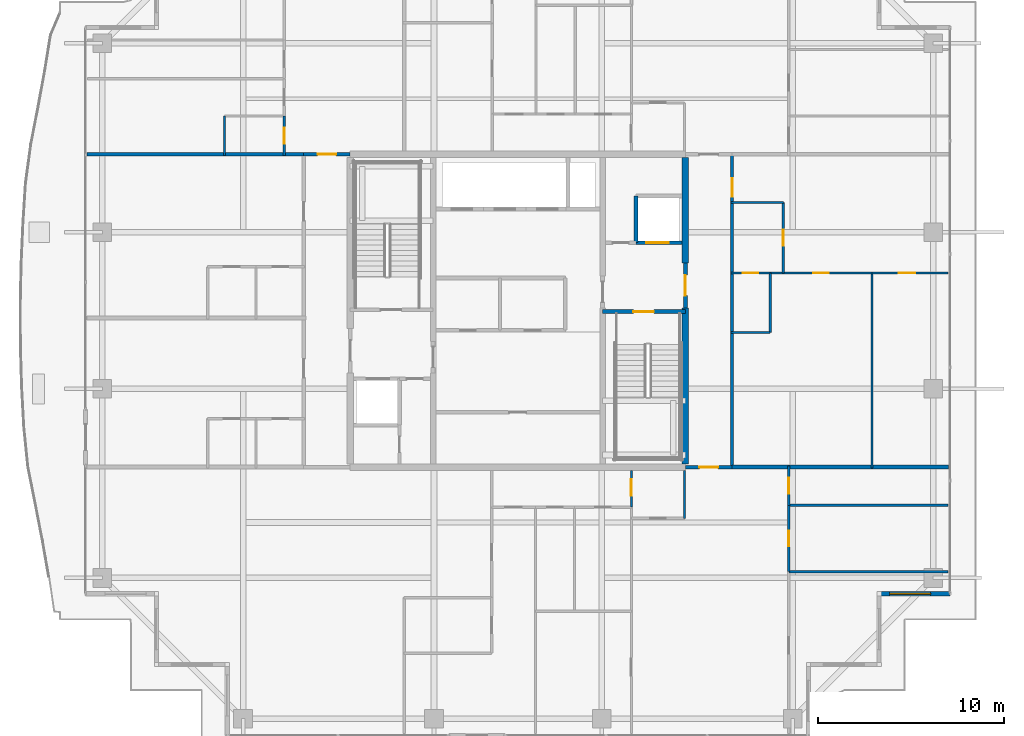
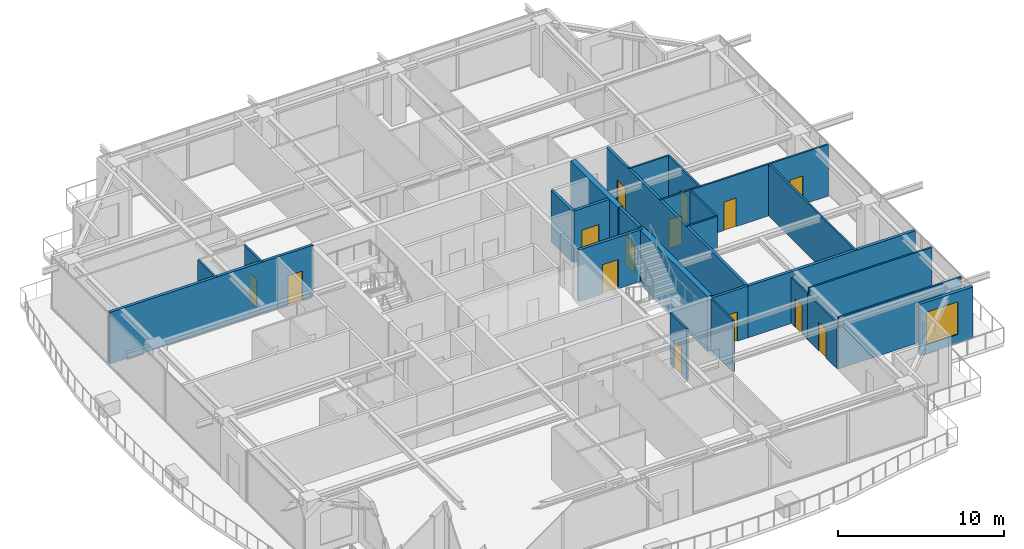
# One storey, part 28 of 37: 28 walls, 14 doors, 1 window, 15 openings.
"""IFC4 building model written with IfcOpenShell, lengths in metres."""

from ifc_helpers import new_model, si_unit, direction, frame, frame_2d, origin, place, context, subcontext, project, spatial, rectangle, extrude, source, transform, mapped, material, layer, layer_set, type_object, element, fill, save


model = new_model("IFC4")

# Units and contexts
model_context = context("Model", 3, precision=1e-05, world=origin(), true_north=direction((0.0, 1.0)))
body_context = subcontext(model_context, "Body", "Model", "MODEL_VIEW")
ifc_project = project(units=[si_unit("LENGTHUNIT", "METRE"), si_unit("AREAUNIT", "SQUARE_METRE"), si_unit("VOLUMEUNIT", "CUBIC_METRE"), si_unit("PLANEANGLEUNIT", "RADIAN"), si_unit("MASSUNIT", "GRAM", prefix="KILO")], contexts=[model_context])

# Site, building, storey
site_placement = place(None, origin())
site = spatial("IfcSite", under=ifc_project, at=site_placement, CompositionType="ELEMENT")
building_placement = place(site_placement, origin())
building = spatial("IfcBuilding", under=site, at=building_placement, Name="Serunith Strait Residences", CompositionType="ELEMENT")
storey_placement = place(building_placement, frame((0.0, 0.0, 305.60009765625)))
storey = spatial("IfcBuildingStorey", under=building, at=storey_placement, Name="L76", CompositionType="ELEMENT", Elevation=305.60009765625)

# Wall, opening, window
ifc_material_1 = material(Name="Pale-Champagne Aluminium Insulated Panel", Category="aluminium")
ifc_layer_1 = layer(ifc_material_1, 0.219970703125, Name="Pale-Champagne Aluminium Insulated Panel")
ifc_layer_set_1 = layer_set([ifc_layer_1], Name="Pale-Champagne Aluminium Insulated Panel")
wall_type_1 = type_object("IfcWallType", Name="EW-ALUM-220", PredefinedType="ELEMENTEDWALL", material=ifc_layer_set_1)
wall_1_placement = place(storey_placement, frame((51.909912109375, 10.0, 0.0), z_axis=(0.0, 0.0, 1.0), x_axis=(1.0, 0.0, 0.0)))
wall_1 = element("IfcWall", 1, at=wall_1_placement, inside=storey, type_object=wall_type_1, Name="L76 Girih Serrated Corner Wall 05", PredefinedType="ELEMENTEDWALL", context=body_context, shape_type="SweptSolid", body=[
    extrude(rectangle(XDim=3.690185546875, YDim=0.219970703125, at=frame_2d((1.84521484375, 0.0))), origin(), (0.0, 0.0, 1.0), 3.77490234375),
])
opening_1_placement = place(wall_1_placement, frame((0.447021484375, 0.0, 0.64990234375)))
opening_1 = element("IfcOpeningElement", 2, at=opening_1_placement, cuts=wall_1, Name="Opening W-06", PredefinedType="OPENING", context=body_context, shape_type="SweptSolid", body=[
    extrude(rectangle(XDim=2.199951171875, YDim=2.39990234375, at=frame_2d((1.10009765625, 1.199951171875))), frame((0.0, 0.1201171875, 0.0), z_axis=(0.0, -1.0, 0.0), x_axis=(1.0, 0.0, 0.0)), (0.0, 0.0, 1.0), 0.239990234375),
])
ifc_material_2 = material(Name="Crown Penthouse Low-E Operable Window Glass", Category="glass")
window_type = type_object("IfcWindowType", Name="WIN-C6", PartitioningType="TRIPLE_PANEL_VERTICAL", PredefinedType="WINDOW", material=ifc_material_2)
shared_shape_1 = source(origin(), body_context, "Body", "SweptSolid", [
    extrude(rectangle(XDim=2.199951171875, YDim=2.39990234375, at=frame_2d((1.10009765625, 1.199951171875))), frame((0.0, 0.030029296875, 0.0), z_axis=(0.0, -1.0, 0.0), x_axis=(1.0, 0.0, 0.0)), (0.0, 0.0, 1.0), 0.06005859375),
])
window_placement = place(opening_1_placement, origin())
window = element("IfcWindow", 3, at=window_placement, inside=storey, type_object=window_type, Name="L76 Corner Operable Fritted Window 05", OverallHeight=2.39990234375, OverallWidth=2.199951171875, PartitioningType="SINGLE_PANEL", PredefinedType="WINDOW", context=body_context, shape_type="MappedRepresentation", body=[
    mapped(shared_shape_1, transform((0.0, 0.0, 0.0), scale=1.0)),
])
fill(opening_1, window)

# Wall, opening, door
ifc_material_3 = material(Name="Fire-rated acoustic gypsum partition")
ifc_layer_2 = layer(ifc_material_3, 0.179931640625, Name="Fire-rated acoustic gypsum partition")
ifc_layer_set_2 = layer_set([ifc_layer_2], Name="Fire-rated acoustic gypsum partition")
wall_type_2 = type_object("IfcWallType", Name="IW-CORR-180", PredefinedType="PARTITIONING", material=ifc_layer_set_2)
wall_2_placement = place(storey_placement, frame((20.902099609375, 33.60009765625, 0.0), z_axis=(0.0, 0.0, 1.0), x_axis=(1.0, 0.0, 0.0)))
wall_2 = element("IfcWall", 4, at=wall_2_placement, inside=storey, type_object=wall_type_2, Name="L76 Partition Wall 025", PredefinedType="PARTITIONING", context=body_context, shape_type="SweptSolid", body=[
    extrude(rectangle(XDim=2.495849609375, YDim=0.179931640625, at=frame_2d((1.248046875, 0.0))), origin(), (0.0, 0.0, 1.0), 3.789794921875),
])
opening_2_placement = place(wall_2_placement, frame((0.748046875, 0.0, 0.0)))
opening_2 = element("IfcOpeningElement", 5, at=opening_2_placement, cuts=wall_2, Name="Opening D-APT1000", PredefinedType="OPENING", context=body_context, shape_type="SweptSolid", body=[
    extrude(rectangle(XDim=1.0, YDim=2.14990234375, at=frame_2d((0.5, 1.074951171875))), frame((0.0, 0.10009765625, 0.0), z_axis=(0.0, -1.0, 0.0), x_axis=(1.0, 0.0, 0.0)), (0.0, 0.0, 1.0), 0.199951171875),
])
ifc_material_4 = material(Name="Solid timber engineered fire door", Category="wood")
door_type_1 = type_object("IfcDoorType", Name="ID-APT-1000", OperationType="NOTDEFINED", PredefinedType="DOOR", material=ifc_material_4)
shared_shape_2 = source(origin(), body_context, "Body", "SweptSolid", [
    extrude(rectangle(XDim=1.0, YDim=2.14990234375, at=frame_2d((0.5, 1.074951171875))), frame((0.0, 0.02490234375, 0.0), z_axis=(0.0, -1.0, 0.0), x_axis=(1.0, 0.0, 0.0)), (0.0, 0.0, 1.0), 0.050048828125),
])
door_1_placement = place(opening_2_placement, origin())
door_1 = element("IfcDoor", 6, at=door_1_placement, inside=storey, type_object=door_type_1, Name="L76 Unit 02 Entrance Door", OperationType="SINGLE_SWING_RIGHT", OverallHeight=2.14990234375, OverallWidth=1.0, PredefinedType="DOOR", context=body_context, shape_type="MappedRepresentation", body=[
    mapped(shared_shape_2, transform((0.0, 0.0, 0.0), scale=1.0)),
])
fill(opening_2, door_1)

wall_3_placement = place(storey_placement, frame((41.402099609375, 16.800048828125, 0.0), z_axis=(0.0, 0.0, 1.0), x_axis=(1.0, 0.0, 0.0)))
wall_3 = element("IfcWall", 7, at=wall_3_placement, inside=storey, type_object=wall_type_2, Name="L76 Partition Wall 027", PredefinedType="PARTITIONING", context=body_context, shape_type="SweptSolid", body=[
    extrude(rectangle(XDim=2.495849609375, YDim=0.179931640625, at=frame_2d((1.248046875, 0.0))), origin(), (0.0, 0.0, 1.0), 3.789794921875),
])
opening_3_placement = place(wall_3_placement, frame((0.748046875, 0.0, 0.0)))
opening_3 = element("IfcOpeningElement", 8, at=opening_3_placement, cuts=wall_3, Name="Opening D-APT1000", PredefinedType="OPENING", context=body_context, shape_type="SweptSolid", body=[
    extrude(rectangle(XDim=1.0, YDim=2.14990234375, at=frame_2d((0.5, 1.074951171875))), frame((0.0, 0.10009765625, 0.0), z_axis=(0.0, -1.0, 0.0), x_axis=(1.0, 0.0, 0.0)), (0.0, 0.0, 1.0), 0.199951171875),
])
door_2_placement = place(opening_3_placement, origin())
door_2 = element("IfcDoor", 9, at=door_2_placement, inside=storey, type_object=door_type_1, Name="L76 Unit 01 Entrance Door", OperationType="SINGLE_SWING_LEFT", OverallHeight=2.14990234375, OverallWidth=1.0, PredefinedType="DOOR", context=body_context, shape_type="MappedRepresentation", body=[
    mapped(shared_shape_2, transform((0.0, 0.0, 0.0), scale=1.0)),
])
fill(opening_3, door_2)

wall_4_placement = place(storey_placement, frame((43.89990234375, 16.800048828125, 0.0), z_axis=(0.0, 0.0, 1.0), x_axis=(0.0, 1.0, 0.0)))
wall_4 = element("IfcWall", 10, at=wall_4_placement, inside=storey, type_object=wall_type_2, Name="L76 Partition Wall 029", PredefinedType="PARTITIONING", context=body_context, shape_type="SweptSolid", body=[
    extrude(rectangle(XDim=16.800048828125, YDim=0.179931640625, at=frame_2d((8.39990234375, 0.0))), origin(), (0.0, 0.0, 1.0), 3.789794921875),
])
opening_4_placement = place(wall_4_placement, frame((14.5, 0.0, 0.0)))
opening_4 = element("IfcOpeningElement", 11, at=opening_4_placement, cuts=wall_4, Name="Opening D-APT1000", PredefinedType="OPENING", context=body_context, shape_type="SweptSolid", body=[
    extrude(rectangle(XDim=1.0, YDim=2.14990234375, at=frame_2d((0.5, 1.074951171875))), frame((0.0, 0.10009765625, 0.0), z_axis=(0.0, -1.0, 0.0), x_axis=(1.0, 0.0, 0.0)), (0.0, 0.0, 1.0), 0.199951171875),
])
door_3_placement = place(opening_4_placement, origin())
door_3 = element("IfcDoor", 12, at=door_3_placement, inside=storey, type_object=door_type_1, Name="L76 Unit 06 Entrance Door", OperationType="SINGLE_SWING_LEFT", OverallHeight=2.14990234375, OverallWidth=1.0, PredefinedType="DOOR", context=body_context, shape_type="MappedRepresentation", body=[
    mapped(shared_shape_2, transform((0.0, 0.0, 0.0), scale=1.0)),
])
fill(opening_4, door_3)

# Wall
ifc_material_5 = material(Name="Lightweight steel-stud gypsum partition", Category="steel")
ifc_layer_3 = layer(ifc_material_5, 0.1201171875, Name="Lightweight steel-stud gypsum partition")
ifc_layer_set_3 = layer_set([ifc_layer_3], Name="Lightweight steel-stud gypsum partition")
wall_type_3 = type_object("IfcWallType", Name="IW-PART-120", PredefinedType="PARTITIONING", material=ifc_layer_set_3)
wall_5_placement = place(storey_placement, frame((41.35009765625, 14.050048828125, 0.0), z_axis=(0.0, 0.0, 1.0), x_axis=(0.0, 1.0, 0.0)))
element("IfcWall", 13, at=wall_5_placement, inside=storey, type_object=wall_type_3, Name="L76 Partition Wall 031", PredefinedType="PARTITIONING", context=body_context, shape_type="SweptSolid", body=[
    extrude(rectangle(XDim=2.574951171875, YDim=0.1201171875, at=frame_2d((1.28759765625, 0.0))), origin(), (0.0, 0.0, 1.0), 3.789794921875),
])

# Wall, opening, door
wall_6_placement = place(storey_placement, frame((38.5, 14.64990234375, 0.0), z_axis=(0.0, 0.0, 1.0), x_axis=(0.0, 1.0, 0.0)))
wall_6 = element("IfcWall", 14, at=wall_6_placement, inside=storey, type_object=wall_type_3, Name="L76 Partition Wall 032", PredefinedType="PARTITIONING", context=body_context, shape_type="SweptSolid", body=[
    extrude(rectangle(XDim=1.97509765625, YDim=0.1201171875, at=frame_2d((0.987548828125, 0.0))), origin(), (0.0, 0.0, 1.0), 3.789794921875),
])
opening_5_placement = place(wall_6_placement, frame((0.60107421875, 0.0, 0.0)))
opening_5 = element("IfcOpeningElement", 15, at=opening_5_placement, cuts=wall_6, Name="Opening D-RM900", PredefinedType="OPENING", context=body_context, shape_type="SweptSolid", body=[
    extrude(rectangle(XDim=0.89990234375, YDim=2.10009765625, at=frame_2d((0.449951171875, 1.050048828125))), frame((0.0, 0.070068359375, 0.0), z_axis=(0.0, -1.0, 0.0), x_axis=(1.0, 0.0, 0.0)), (0.0, 0.0, 1.0), 0.14013671875),
])
ifc_material_6 = material(Name="Engineered timber flush bedroom door", Category="wood")
door_type_2 = type_object("IfcDoorType", Name="ID-ROOM-900", OperationType="NOTDEFINED", PredefinedType="DOOR", material=ifc_material_6)
shared_shape_3 = source(origin(), body_context, "Body", "SweptSolid", [
    extrude(rectangle(XDim=0.89990234375, YDim=2.10009765625, at=frame_2d((0.449951171875, 1.050048828125))), frame((0.0, 0.02490234375, 0.0), z_axis=(0.0, -1.0, 0.0), x_axis=(1.0, 0.0, 0.0)), (0.0, 0.0, 1.0), 0.050048828125),
])
door_4_placement = place(opening_5_placement, origin())
door_4 = element("IfcDoor", 16, at=door_4_placement, inside=storey, type_object=door_type_2, Name="L76 Hall W 7601 Door", OperationType="SINGLE_SWING_LEFT", OverallHeight=2.10009765625, OverallWidth=0.89990234375, PredefinedType="DOOR", context=body_context, shape_type="MappedRepresentation", body=[
    mapped(shared_shape_3, transform((0.0, 0.0, 0.0), scale=1.0)),
])
fill(opening_5, door_4)

# Walls
for number, where, z_axis, x_axis, name in (
    (17, (46.949951171875, 11.18310546875, 0.0), (0.0, 0.0, 1.0), (1.0, 0.0, 0.0), "L76 Partition Wall 048"),
    (18, (46.949951171875, 14.75, 0.0), (0.0, 0.0, 1.0), (1.0, 0.0, 0.0), "L76 Partition Wall 049"),
):
    element("IfcWall", number, at=place(storey_placement, frame(where, z_axis=z_axis, x_axis=x_axis)), inside=storey, type_object=wall_type_3, Name=name, PredefinedType="PARTITIONING", context=body_context, shape_type="SweptSolid", body=[
        extrude(rectangle(XDim=8.554931640625, YDim=0.1201171875, at=frame_2d((4.27734375, 0.0))), origin(), (0.0, 0.0, 1.0), 3.789794921875),
    ])

# Wall, opening, door
wall_7_placement = place(storey_placement, frame((46.949951171875, 11.18505859375, 0.0), z_axis=(0.0, 0.0, 1.0), x_axis=(0.0, 1.0, 0.0)))
wall_7 = element("IfcWall", 19, at=wall_7_placement, inside=storey, type_object=wall_type_3, Name="L76 Partition Wall 050", PredefinedType="PARTITIONING", context=body_context, shape_type="SweptSolid", body=[
    extrude(rectangle(XDim=3.56494140625, YDim=0.1201171875, at=frame_2d((1.782470703125, 0.0))), origin(), (0.0, 0.0, 1.0), 3.371826171875),
])
opening_6_placement = place(wall_7_placement, frame((1.35693359375, 0.0, 0.0)))
opening_6 = element("IfcOpeningElement", 20, at=opening_6_placement, cuts=wall_7, Name="Opening D-RM850", PredefinedType="OPENING", context=body_context, shape_type="SweptSolid", body=[
    extrude(rectangle(XDim=0.85009765625, YDim=2.10009765625, at=frame_2d((0.425048828125, 1.050048828125))), frame((0.0, 0.070068359375, 0.0), z_axis=(0.0, -1.0, 0.0), x_axis=(1.0, 0.0, 0.0)), (0.0, 0.0, 1.0), 0.14013671875),
])
ifc_material_7 = material(Name="Engineered timber flush study and kitchen door", Category="wood")
door_type_3 = type_object("IfcDoorType", Name="ID-ROOM-850", OperationType="NOTDEFINED", PredefinedType="DOOR", material=ifc_material_7)
shared_shape_4 = source(origin(), body_context, "Body", "SweptSolid", [
    extrude(rectangle(XDim=0.85009765625, YDim=2.10009765625, at=frame_2d((0.425048828125, 1.050048828125))), frame((0.0, 0.02490234375, 0.0), z_axis=(0.0, -1.0, 0.0), x_axis=(1.0, 0.0, 0.0)), (0.0, 0.0, 1.0), 0.050048828125),
])
door_5_placement = place(opening_6_placement, origin())
door_5 = element("IfcDoor", 21, at=door_5_placement, inside=storey, type_object=door_type_3, Name="L76 Walk-in Wardrobe 7601 Door", OperationType="SINGLE_SWING_LEFT", OverallHeight=2.10009765625, OverallWidth=0.85009765625, PredefinedType="DOOR", context=body_context, shape_type="MappedRepresentation", body=[
    mapped(shared_shape_4, transform((0.0, 0.0, 0.0), scale=1.0)),
])
fill(opening_6, door_5)

wall_8_placement = place(storey_placement, frame((46.949951171875, 14.751953125, 0.0), z_axis=(0.0, 0.0, 1.0), x_axis=(0.0, 1.0, 0.0)))
wall_8 = element("IfcWall", 22, at=wall_8_placement, inside=storey, type_object=wall_type_3, Name="L76 Partition Wall 051", PredefinedType="PARTITIONING", context=body_context, shape_type="SweptSolid", body=[
    extrude(rectangle(XDim=2.108154296875, YDim=0.1201171875, at=frame_2d((1.05419921875, 0.0))), origin(), (0.0, 0.0, 1.0), 3.371826171875),
])
opening_7_placement = place(wall_8_placement, frame((0.62890625, 0.0, 0.0)))
opening_7 = element("IfcOpeningElement", 23, at=opening_7_placement, cuts=wall_8, Name="Opening D-BTH850", PredefinedType="OPENING", context=body_context, shape_type="SweptSolid", body=[
    extrude(rectangle(XDim=0.85009765625, YDim=2.10009765625, at=frame_2d((0.425048828125, 1.050048828125))), frame((0.0, 0.070068359375, 0.0), z_axis=(0.0, -1.0, 0.0), x_axis=(1.0, 0.0, 0.0)), (0.0, 0.0, 1.0), 0.14013671875),
])
ifc_material_8 = material(Name="Moisture-resistant timber bathroom door", Category="wood")
door_type_4 = type_object("IfcDoorType", Name="ID-BATH-850", OperationType="NOTDEFINED", PredefinedType="DOOR", material=ifc_material_8)
door_6_placement = place(opening_7_placement, origin())
door_6 = element("IfcDoor", 24, at=door_6_placement, inside=storey, type_object=door_type_4, Name="L76 Bathroom 7601 Door", OperationType="SINGLE_SWING_RIGHT", OverallHeight=2.10009765625, OverallWidth=0.85009765625, PredefinedType="DOOR", context=body_context, shape_type="MappedRepresentation", body=[
    mapped(shared_shape_4, transform((0.0, 0.0, 0.0), scale=1.0)),
])
fill(opening_7, door_6)

# Wall
wall_9_placement = place(storey_placement, frame((16.659912109375, 35.64990234375, 0.0), z_axis=(0.0, 0.0, 1.0), x_axis=(0.0, -1.0, 0.0)))
element("IfcWall", 25, at=wall_9_placement, inside=storey, type_object=wall_type_3, Name="L76 Partition Wall 056", PredefinedType="PARTITIONING", context=body_context, shape_type="SweptSolid", body=[
    extrude(rectangle(XDim=2.10986328125, YDim=0.1201171875, at=frame_2d((1.054931640625, 0.0))), origin(), (0.0, 0.0, 1.0), 3.789794921875),
])

# Wall, opening, door
wall_10_placement = place(storey_placement, frame((19.860107421875, 35.64794921875, 0.0), z_axis=(0.0, 0.0, 1.0), x_axis=(0.0, -1.0, 0.0)))
wall_10 = element("IfcWall", 26, at=wall_10_placement, inside=storey, type_object=wall_type_3, Name="L76 Partition Wall 059", PredefinedType="PARTITIONING", context=body_context, shape_type="SweptSolid", body=[
    extrude(rectangle(XDim=2.10791015625, YDim=0.1201171875, at=frame_2d((1.053955078125, 0.0))), origin(), (0.0, 0.0, 1.0), 3.789794921875),
])
opening_8_placement = place(wall_10_placement, frame((0.62890625, 0.0, 0.0)))
opening_8 = element("IfcOpeningElement", 27, at=opening_8_placement, cuts=wall_10, Name="Opening D-BTH850", PredefinedType="OPENING", context=body_context, shape_type="SweptSolid", body=[
    extrude(rectangle(XDim=0.85009765625, YDim=2.10009765625, at=frame_2d((0.425048828125, 1.050048828125))), frame((0.0, 0.070068359375, 0.0), z_axis=(0.0, -1.0, 0.0), x_axis=(1.0, 0.0, 0.0)), (0.0, 0.0, 1.0), 0.14013671875),
])
door_7_placement = place(opening_8_placement, origin())
door_7 = element("IfcDoor", 28, at=door_7_placement, inside=storey, type_object=door_type_4, Name="L76 Bathroom 7602 Door", OperationType="SINGLE_SWING_RIGHT", OverallHeight=2.10009765625, OverallWidth=0.85009765625, PredefinedType="DOOR", context=body_context, shape_type="MappedRepresentation", body=[
    mapped(shared_shape_4, transform((0.0, 0.0, 0.0), scale=1.0)),
])
fill(opening_8, door_7)

wall_11_placement = place(storey_placement, frame((46.64990234375, 27.219970703125, 0.0), z_axis=(0.0, 0.0, 1.0), x_axis=(0.0, 1.0, 0.0)))
wall_11 = element("IfcWall", 29, at=wall_11_placement, inside=storey, type_object=wall_type_3, Name="L76 Partition Wall 089", PredefinedType="PARTITIONING", context=body_context, shape_type="SweptSolid", body=[
    extrude(rectangle(XDim=3.780029296875, YDim=0.1201171875, at=frame_2d((1.89013671875, 0.0))), origin(), (0.0, 0.0, 1.0), 3.789794921875),
])
opening_9_placement = place(wall_11_placement, frame((1.465087890625, 0.0, 0.0)))
opening_9 = element("IfcOpeningElement", 30, at=opening_9_placement, cuts=wall_11, Name="Opening D-RM850", PredefinedType="OPENING", context=body_context, shape_type="SweptSolid", body=[
    extrude(rectangle(XDim=0.85009765625, YDim=2.10009765625, at=frame_2d((0.425048828125, 1.050048828125))), frame((0.0, 0.070068359375, 0.0), z_axis=(0.0, -1.0, 0.0), x_axis=(1.0, 0.0, 0.0)), (0.0, 0.0, 1.0), 0.14013671875),
])
door_8_placement = place(opening_9_placement, origin())
door_8 = element("IfcDoor", 31, at=door_8_placement, inside=storey, type_object=door_type_3, Name="L76 Kitchen 7606 Door", OperationType="SINGLE_SWING_RIGHT", OverallHeight=2.10009765625, OverallWidth=0.85009765625, PredefinedType="DOOR", context=body_context, shape_type="MappedRepresentation", body=[
    mapped(shared_shape_4, transform((0.0, 0.0, 0.0), scale=1.0)),
])
fill(opening_9, door_8)

# Wall
wall_12_placement = place(storey_placement, frame((46.64990234375, 31.0, 0.0), z_axis=(0.0, 0.0, 1.0), x_axis=(-1.0, 0.0, 0.0)))
element("IfcWall", 32, at=wall_12_placement, inside=storey, type_object=wall_type_3, Name="L76 Partition Wall 090", PredefinedType="PARTITIONING", context=body_context, shape_type="SweptSolid", body=[
    extrude(rectangle(XDim=2.809814453125, YDim=0.1201171875, at=frame_2d((1.40478515625, 0.0))), origin(), (0.0, 0.0, 1.0), 3.789794921875),
])

# Wall, opening, door
wall_13_placement = place(storey_placement, frame((55.5048828125, 27.219970703125, 0.0), z_axis=(0.0, 0.0, 1.0), x_axis=(-1.0, 0.0, 0.0)))
wall_13 = element("IfcWall", 33, at=wall_13_placement, inside=storey, type_object=wall_type_3, Name="L76 Partition Wall 091", PredefinedType="PARTITIONING", context=body_context, shape_type="SweptSolid", body=[
    extrude(rectangle(XDim=4.093994140625, YDim=0.1201171875, at=frame_2d((2.046875, 0.0))), origin(), (0.0, 0.0, 1.0), 3.789794921875),
])
opening_10_placement = place(wall_13_placement, frame((1.757080078125, 0.0, 0.0)))
opening_10 = element("IfcOpeningElement", 34, at=opening_10_placement, cuts=wall_13, Name="Opening D-RM900", PredefinedType="OPENING", context=body_context, shape_type="SweptSolid", body=[
    extrude(rectangle(XDim=0.89990234375, YDim=2.10009765625, at=frame_2d((0.449951171875, 1.050048828125))), frame((0.0, 0.070068359375, 0.0), z_axis=(0.0, -1.0, 0.0), x_axis=(1.0, 0.0, 0.0)), (0.0, 0.0, 1.0), 0.14013671875),
])
door_9_placement = place(opening_10_placement, origin())
door_9 = element("IfcDoor", 35, at=door_9_placement, inside=storey, type_object=door_type_2, Name="L76 Master Bedroom 1 7606 Door", OperationType="SINGLE_SWING_LEFT", OverallHeight=2.10009765625, OverallWidth=0.89990234375, PredefinedType="DOOR", context=body_context, shape_type="MappedRepresentation", body=[
    mapped(shared_shape_3, transform((0.0, 0.0, 0.0), scale=1.0)),
])
fill(opening_10, door_9)

# Walls
wall_14_placement = place(storey_placement, frame((51.410888671875, 16.739990234375, 0.0), z_axis=(0.0, 0.0, 1.0), x_axis=(0.0, 1.0, 0.0)))
element("IfcWall", 36, at=wall_14_placement, inside=storey, type_object=wall_type_3, Name="L76 Partition Wall 092", PredefinedType="PARTITIONING", context=body_context, shape_type="SweptSolid", body=[
    extrude(rectangle(XDim=10.47998046875, YDim=0.1201171875, at=frame_2d((5.239990234375, 0.0))), origin(), (0.0, 0.0, 1.0), 3.789794921875),
])
wall_15_placement = place(storey_placement, frame((45.949951171875, 24.02001953125, 0.0), z_axis=(0.0, 0.0, 1.0), x_axis=(0.0, 1.0, 0.0)))
element("IfcWall", 37, at=wall_15_placement, inside=storey, type_object=wall_type_3, Name="L76 Partition Wall 093", PredefinedType="PARTITIONING", context=body_context, shape_type="SweptSolid", body=[
    extrude(rectangle(XDim=3.199951171875, YDim=0.1201171875, at=frame_2d((1.60009765625, 0.0))), origin(), (0.0, 0.0, 1.0), 3.789794921875),
])
wall_16_placement = place(storey_placement, frame((45.949951171875, 24.02001953125, 0.0), z_axis=(0.0, 0.0, 1.0), x_axis=(-1.0, 0.0, 0.0)))
element("IfcWall", 38, at=wall_16_placement, inside=storey, type_object=wall_type_3, Name="L76 Partition Wall 094", PredefinedType="PARTITIONING", context=body_context, shape_type="SweptSolid", body=[
    extrude(rectangle(XDim=2.10986328125, YDim=0.1201171875, at=frame_2d((1.054931640625, 0.0))), origin(), (0.0, 0.0, 1.0), 3.789794921875),
])

# Wall, opening, door
wall_17_placement = place(storey_placement, frame((51.408935546875, 27.219970703125, 0.0), z_axis=(0.0, 0.0, 1.0), x_axis=(-1.0, 0.0, 0.0)))
wall_17 = element("IfcWall", 39, at=wall_17_placement, inside=storey, type_object=wall_type_3, Name="L76 Partition Wall 095", PredefinedType="PARTITIONING", context=body_context, shape_type="SweptSolid", body=[
    extrude(rectangle(XDim=5.458984375, YDim=0.1201171875, at=frame_2d((2.7294921875, 0.0))), origin(), (0.0, 0.0, 1.0), 3.789794921875),
])
opening_11_placement = place(wall_17_placement, frame((2.303955078125, 0.0, 0.0)))
opening_11 = element("IfcOpeningElement", 40, at=opening_11_placement, cuts=wall_17, Name="Opening D-RM850", PredefinedType="OPENING", context=body_context, shape_type="SweptSolid", body=[
    extrude(rectangle(XDim=0.85009765625, YDim=2.10009765625, at=frame_2d((0.425048828125, 1.050048828125))), frame((0.0, 0.070068359375, 0.0), z_axis=(0.0, -1.0, 0.0), x_axis=(1.0, 0.0, 0.0)), (0.0, 0.0, 1.0), 0.14013671875),
])
door_10_placement = place(opening_11_placement, origin())
door_10 = element("IfcDoor", 41, at=door_10_placement, inside=storey, type_object=door_type_3, Name="L76 Walk-in Wardrobe 7606 Door", OperationType="SINGLE_SWING_RIGHT", OverallHeight=2.10009765625, OverallWidth=0.85009765625, PredefinedType="DOOR", context=body_context, shape_type="MappedRepresentation", body=[
    mapped(shared_shape_4, transform((0.0, 0.0, 0.0), scale=1.0)),
])
fill(opening_11, door_10)

wall_18_placement = place(storey_placement, frame((45.947998046875, 27.219970703125, 0.0), z_axis=(0.0, 0.0, 1.0), x_axis=(-1.0, 0.0, 0.0)))
wall_18 = element("IfcWall", 42, at=wall_18_placement, inside=storey, type_object=wall_type_3, Name="L76 Partition Wall 096", PredefinedType="PARTITIONING", context=body_context, shape_type="SweptSolid", body=[
    extrude(rectangle(XDim=2.10791015625, YDim=0.1201171875, at=frame_2d((1.053955078125, 0.0))), origin(), (0.0, 0.0, 1.0), 3.789794921875),
])
opening_12_placement = place(wall_18_placement, frame((0.62890625, 0.0, 0.0)))
opening_12 = element("IfcOpeningElement", 43, at=opening_12_placement, cuts=wall_18, Name="Opening D-BTH850", PredefinedType="OPENING", context=body_context, shape_type="SweptSolid", body=[
    extrude(rectangle(XDim=0.85009765625, YDim=2.10009765625, at=frame_2d((0.425048828125, 1.050048828125))), frame((0.0, 0.070068359375, 0.0), z_axis=(0.0, -1.0, 0.0), x_axis=(1.0, 0.0, 0.0)), (0.0, 0.0, 1.0), 0.14013671875),
])
door_11_placement = place(opening_12_placement, origin())
door_11 = element("IfcDoor", 44, at=door_11_placement, inside=storey, type_object=door_type_4, Name="L76 Bathroom 7606 Door", OperationType="SINGLE_SWING_LEFT", OverallHeight=2.10009765625, OverallWidth=0.85009765625, PredefinedType="DOOR", context=body_context, shape_type="MappedRepresentation", body=[
    mapped(shared_shape_4, transform((0.0, 0.0, 0.0), scale=1.0)),
])
fill(opening_12, door_11)

# Walls
ifc_material_9 = material(Name="Twin-stud acoustic gypsum board partition")
ifc_layer_4 = layer(ifc_material_9, 0.199951171875, Name="Twin-stud acoustic gypsum board partition")
ifc_layer_set_4 = layer_set([ifc_layer_4], Name="Twin-stud acoustic gypsum board partition")
wall_type_4 = type_object("IfcWallType", Name="IW-PARTY-200", PredefinedType="PARTITIONING", material=ifc_layer_set_4)
wall_19_placement = place(storey_placement, frame((43.89990234375, 16.800048828125, 0.0), z_axis=(0.0, 0.0, 1.0), x_axis=(1.0, 0.0, 0.0)))
element("IfcWall", 45, at=wall_19_placement, inside=storey, type_object=wall_type_4, Name="L76 Partition Wall 021", PredefinedType="PARTITIONING", context=body_context, shape_type="SweptSolid", body=[
    extrude(rectangle(XDim=11.6181640625, YDim=0.199951171875, at=frame_2d((5.80908203125, 0.0))), origin(), (0.0, 0.0, 1.0), 3.789794921875),
])
wall_20_placement = place(storey_placement, frame((9.281982421875, 33.60009765625, 0.0), z_axis=(0.0, 0.0, 1.0), x_axis=(1.0, 0.0, 0.0)))
element("IfcWall", 46, at=wall_20_placement, inside=storey, type_object=wall_type_4, Name="L76 Partition Wall 022", PredefinedType="PARTITIONING", context=body_context, shape_type="SweptSolid", body=[
    extrude(rectangle(XDim=11.617919921875, YDim=0.199951171875, at=frame_2d((5.80908203125, 0.0))), origin(), (0.0, 0.0, 1.0), 3.789794921875),
])

# Wall, opening, door
ifc_material_10 = material(Name="Autoclaved aerated concrete blockwork", Category="masonry")
ifc_layer_5 = layer(ifc_material_10, 0.199951171875, Name="Autoclaved aerated concrete blockwork")
ifc_layer_set_5 = layer_set([ifc_layer_5], Name="Autoclaved aerated concrete blockwork")
wall_type_5 = type_object("IfcWallType", Name="IW-SHAFT-200", PredefinedType="STANDARD", material=ifc_layer_set_5)
wall_21_placement = place(storey_placement, frame((36.949951171875, 25.14990234375, 0.0), z_axis=(0.0, 0.0, 1.0), x_axis=(1.0, 0.0, 0.0)))
wall_21 = element("IfcWall", 47, at=wall_21_placement, inside=storey, type_object=wall_type_5, Name="L76 ST-2 North Shaft Wall", PredefinedType="STANDARD", context=body_context, shape_type="SweptSolid", body=[
    extrude(rectangle(XDim=4.449951171875, YDim=0.199951171875, at=frame_2d((2.22509765625, 0.0))), origin(), (0.0, 0.0, 1.0), 3.789794921875),
])
opening_13_placement = place(wall_21_placement, frame((1.64990234375, 0.0, 0.0)))
opening_13 = element("IfcOpeningElement", 48, at=opening_13_placement, cuts=wall_21, Name="Opening FD-1100", PredefinedType="OPENING", context=body_context, shape_type="SweptSolid", body=[
    extrude(rectangle(XDim=1.10009765625, YDim=2.14990234375, at=frame_2d((0.550048828125, 1.074951171875))), frame((0.0, 0.10986328125, 0.0), z_axis=(0.0, -1.0, 0.0), x_axis=(1.0, 0.0, 0.0)), (0.0, 0.0, 1.0), 0.219970703125),
])
ifc_material_11 = material(Name="Galvanised steel fire door leaf", Category="steel")
door_type_5 = type_object("IfcDoorType", Name="FD-STAIR-1100", OperationType="NOTDEFINED", PredefinedType="DOOR", material=ifc_material_11)
shared_shape_5 = source(origin(), body_context, "Body", "SweptSolid", [
    extrude(rectangle(XDim=1.10009765625, YDim=2.14990234375, at=frame_2d((0.550048828125, 1.074951171875))), frame((0.0, 0.02490234375, 0.0), z_axis=(0.0, -1.0, 0.0), x_axis=(1.0, 0.0, 0.0)), (0.0, 0.0, 1.0), 0.050048828125),
])
door_12_placement = place(opening_13_placement, origin())
door_12 = element("IfcDoor", 49, at=door_12_placement, inside=storey, type_object=door_type_5, Name="L76 ST-2 Escape Stair Door", OperationType="SINGLE_SWING_LEFT", OverallHeight=2.14990234375, OverallWidth=1.10009765625, PredefinedType="DOOR", context=body_context, shape_type="MappedRepresentation", body=[
    mapped(shared_shape_5, transform((0.0, 0.0, 0.0), scale=1.0)),
])
fill(opening_13, door_12)

wall_22_placement = place(storey_placement, frame((38.75, 28.85009765625, 0.0), z_axis=(0.0, 0.0, 1.0), x_axis=(1.0, 0.0, 0.0)))
wall_22 = element("IfcWall", 50, at=wall_22_placement, inside=storey, type_object=wall_type_5, Name="L76 FL-2 South Shaft Wall", PredefinedType="STANDARD", context=body_context, shape_type="SweptSolid", body=[
    extrude(rectangle(XDim=2.47509765625, YDim=0.199951171875, at=frame_2d((1.237548828125, 0.0))), origin(), (0.0, 0.0, 1.0), 3.789794921875),
])
opening_14_placement = place(wall_22_placement, frame((0.550048828125, 0.0, 0.0)))
opening_14 = element("IfcOpeningElement", 51, at=opening_14_placement, cuts=wall_22, Name="Opening LD-FF1200", PredefinedType="OPENING", context=body_context, shape_type="SweptSolid", body=[
    extrude(rectangle(XDim=1.199951171875, YDim=2.199951171875, at=frame_2d((0.60009765625, 1.10009765625))), frame((0.0, 0.10986328125, 0.0), z_axis=(0.0, -1.0, 0.0), x_axis=(1.0, 0.0, 0.0)), (0.0, 0.0, 1.0), 0.219970703125),
])
ifc_material_12 = material(Name="Brushed stainless steel landing door", Category="steel")
door_type_6 = type_object("IfcDoorType", Name="LD-FF-1200", OperationType="DOUBLE_DOOR_SLIDING", PredefinedType="DOOR", material=ifc_material_12)
shared_shape_6 = source(origin(), body_context, "Body", "SweptSolid", [
    extrude(rectangle(XDim=1.199951171875, YDim=2.199951171875, at=frame_2d((0.60009765625, 1.10009765625))), frame((0.0, 0.02490234375, 0.0), z_axis=(0.0, -1.0, 0.0), x_axis=(1.0, 0.0, 0.0)), (0.0, 0.0, 1.0), 0.050048828125),
])
door_13_placement = place(opening_14_placement, origin())
door_13 = element("IfcDoor", 52, at=door_13_placement, inside=storey, type_object=door_type_6, Name="L76 FL-2 Landing Door", OperationType="DOUBLE_DOOR_SLIDING", OverallHeight=2.199951171875, OverallWidth=1.199951171875, PredefinedType="DOOR", context=body_context, shape_type="MappedRepresentation", body=[
    mapped(shared_shape_6, transform((0.0, 0.0, 0.0), scale=1.0)),
])
fill(opening_14, door_13)

# Wall
wall_23_placement = place(storey_placement, frame((38.75, 28.85009765625, 0.0), z_axis=(0.0, 0.0, 1.0), x_axis=(0.0, 1.0, 0.0)))
element("IfcWall", 53, at=wall_23_placement, inside=storey, type_object=wall_type_5, Name="L76 Partition Wall 004", PredefinedType="STANDARD", context=body_context, shape_type="SweptSolid", body=[
    extrude(rectangle(XDim=2.5, YDim=0.199951171875, at=frame_2d((1.25, 0.0))), origin(), (0.0, 0.0, 1.0), 3.789794921875),
])

# Wall, opening, door
wall_24_placement = place(storey_placement, frame((41.39990234375, 25.35205078125, 0.0), z_axis=(0.0, 0.0, 1.0), x_axis=(0.0, 1.0, 0.0)))
wall_24 = element("IfcWall", 54, at=wall_24_placement, inside=storey, type_object=wall_type_5, Name="L76 Partition Wall 008", PredefinedType="STANDARD", context=body_context, shape_type="SweptSolid", body=[
    extrude(rectangle(XDim=2.39599609375, YDim=0.199951171875, at=frame_2d((1.197998046875, 0.0))), origin(), (0.0, 0.0, 1.0), 3.789794921875),
])
opening_15_placement = place(wall_24_placement, frame((0.64794921875, 0.0, 0.0)))
opening_15 = element("IfcOpeningElement", 55, at=opening_15_placement, cuts=wall_24, Name="Opening FD-FFL", PredefinedType="OPENING", context=body_context, shape_type="SweptSolid", body=[
    extrude(rectangle(XDim=1.10009765625, YDim=2.14990234375, at=frame_2d((0.550048828125, 1.074951171875))), frame((0.0, 0.10986328125, 0.0), z_axis=(0.0, -1.0, 0.0), x_axis=(1.0, 0.0, 0.0)), (0.0, 0.0, 1.0), 0.219970703125),
])
ifc_material_13 = material(Name="Glazed steel smoke-lobby fire door", Category="steel")
door_type_7 = type_object("IfcDoorType", Name="FD-FFL-1100", OperationType="NOTDEFINED", PredefinedType="DOOR", material=ifc_material_13)
door_14_placement = place(opening_15_placement, origin())
door_14 = element("IfcDoor", 56, at=door_14_placement, inside=storey, type_object=door_type_7, Name="L76 FFL-2 Corridor Fire Door", OperationType="SINGLE_SWING_LEFT", OverallHeight=2.14990234375, OverallWidth=1.10009765625, PredefinedType="DOOR", context=body_context, shape_type="MappedRepresentation", body=[
    mapped(shared_shape_5, transform((0.0, 0.0, 0.0), scale=1.0)),
])
fill(opening_15, door_14)

# Walls
ifc_material_14 = material(Name="Concrete C60/75", Category="concrete")
ifc_layer_6 = layer(ifc_material_14, 0.35009765625, Name="Concrete C60/75")
ifc_layer_set_6 = layer_set([ifc_layer_6], Name="Concrete C60/75")
wall_type_6 = type_object("IfcWallType", Name="SW-350-C60", PredefinedType="SHEAR", material=ifc_layer_set_6)
wall_25_placement = place(storey_placement, frame((41.39990234375, 16.97509765625, -0.260009765625), z_axis=(0.0, 0.0, 1.0), x_axis=(0.0, 1.0, 0.0)))
element("IfcWall", 57, at=wall_25_placement, inside=storey, type_object=wall_type_6, Name="L76 Core East Shear Wall South Pier", PredefinedType="SHEAR", context=body_context, shape_type="SweptSolid", body=[
    extrude(rectangle(XDim=8.375, YDim=0.35009765625, at=frame_2d((4.1875, 0.0))), origin(), (0.0, 0.0, 1.0), 4.0478515625),
])
wall_26_placement = place(storey_placement, frame((41.39990234375, 27.75, -0.260009765625), z_axis=(0.0, 0.0, 1.0), x_axis=(0.0, 1.0, 0.0)))
element("IfcWall", 58, at=wall_26_placement, inside=storey, type_object=wall_type_6, Name="L76 Core East Shear Wall North Pier", PredefinedType="SHEAR", context=body_context, shape_type="SweptSolid", body=[
    extrude(rectangle(XDim=5.675048828125, YDim=0.35009765625, at=frame_2d((2.83740234375, 0.0))), origin(), (0.0, 0.0, 1.0), 4.0478515625),
])

save(model, "model.ifc")
